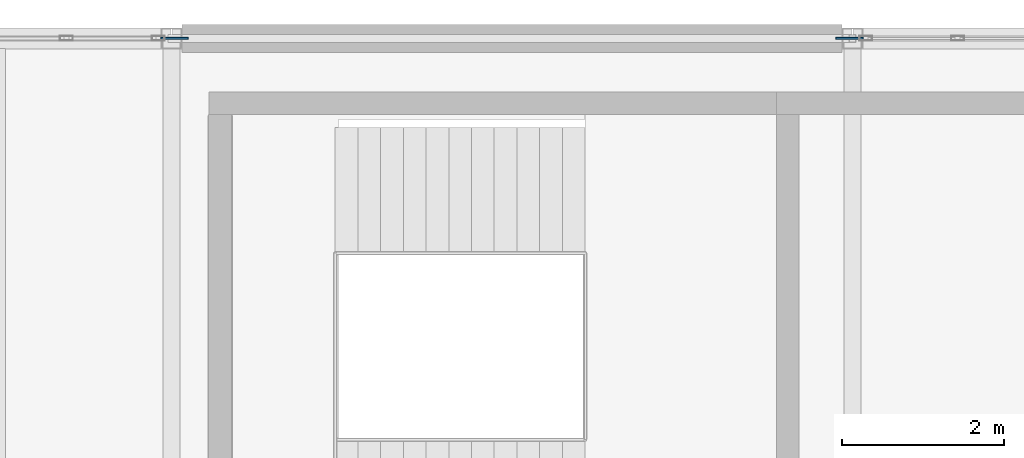
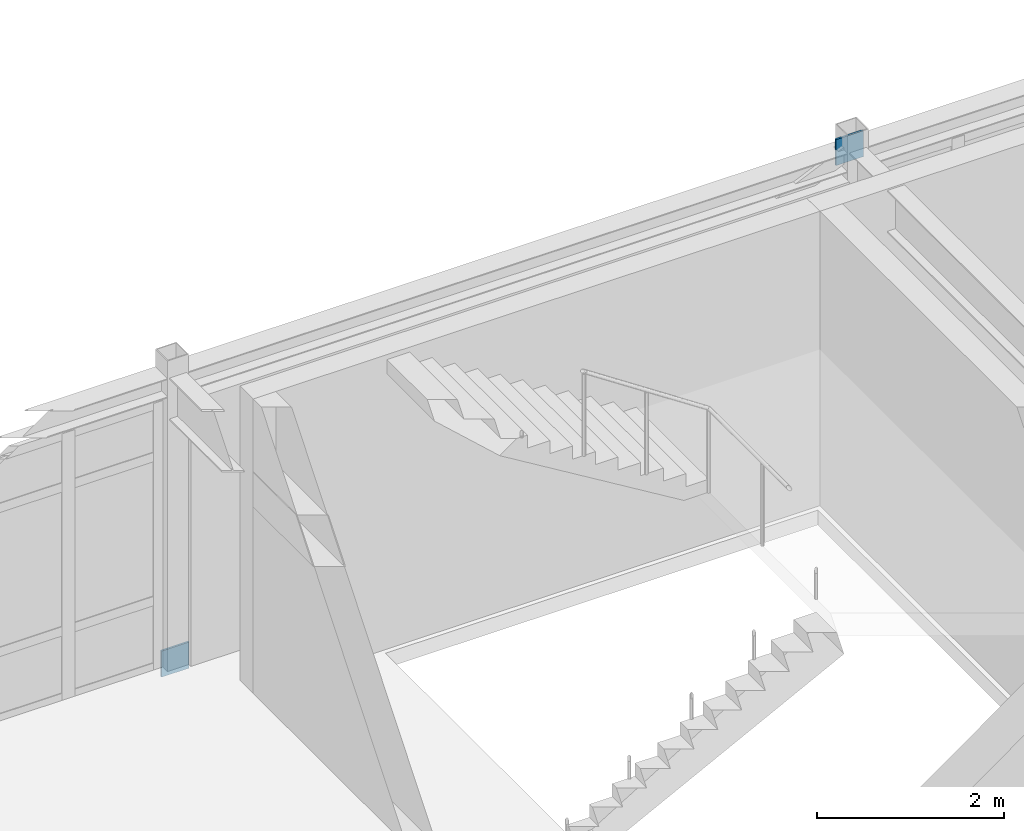
# One storey, part 175 of 189: 2 discrete accessories.
"""IFC4 building model written with IfcOpenShell, lengths in metres."""

from ifc_helpers import new_model, si_unit, direction, frame, origin, origin_2d, place, context, subcontext, project, spatial, rectangle, extrude, material, type_object, element, save


model = new_model("IFC4")

# Units and contexts
model_context = context("Model", 3, precision=1e-05, world=origin(), true_north=direction((0.0, 1.0)))
body_context = subcontext(model_context, "Body", "Model", "MODEL_VIEW")
ifc_project = project(units=[si_unit("LENGTHUNIT", "METRE"), si_unit("AREAUNIT", "SQUARE_METRE"), si_unit("VOLUMEUNIT", "CUBIC_METRE"), si_unit("PLANEANGLEUNIT", "RADIAN"), si_unit("MASSUNIT", "GRAM", prefix="KILO")], contexts=[model_context])

# Site, building, storey
site_placement = place(None, origin())
site = spatial("IfcSite", under=ifc_project, at=site_placement, CompositionType="ELEMENT")
building_placement = place(site_placement, origin())
building = spatial("IfcBuilding", under=site, at=building_placement, Name="Montecoro Central Library", CompositionType="ELEMENT")
storey_placement = place(building_placement, frame((0.0, 0.0, 9.179931640625)))
storey = spatial("IfcBuildingStorey", under=building, at=storey_placement, Name="L02", CompositionType="ELEMENT", Elevation=9.179931640625)

# Discrete accessories
ifc_material = material(Name="Steel S355", Category="steel")
discrete_accessory_type = type_object("IfcDiscreteAccessoryType", Name="GUSSET-PLT-01", PredefinedType="BRACKET", material=ifc_material)
for number, where, z_axis, x_axis, name in (
    (1, (74.8359375, 119.0, -0.14404296875), (0.0, 0.0, 1.0), (1.0, 0.0, 0.0), "V2-L02-BRN1-GPA"),
    (2, (83.1640625, 119.0, 3.619140625), (0.0, 0.0, 1.0), (1.0, 0.0, 0.0), "V2-L02-BRN1-GPB"),
):
    element("IfcDiscreteAccessory", number, at=place(storey_placement, frame(where, z_axis=z_axis, x_axis=x_axis)), inside=storey, type_object=discrete_accessory_type, Name=name, PredefinedType="BRACKET", context=body_context, shape_type="SweptSolid", body=[
        extrude(rectangle(XDim=0.340087890625, YDim=0.02392578125, at=origin_2d()), origin(), (0.0, 0.0, 1.0), 0.340087890625),
    ])

save(model, "model.ifc")
